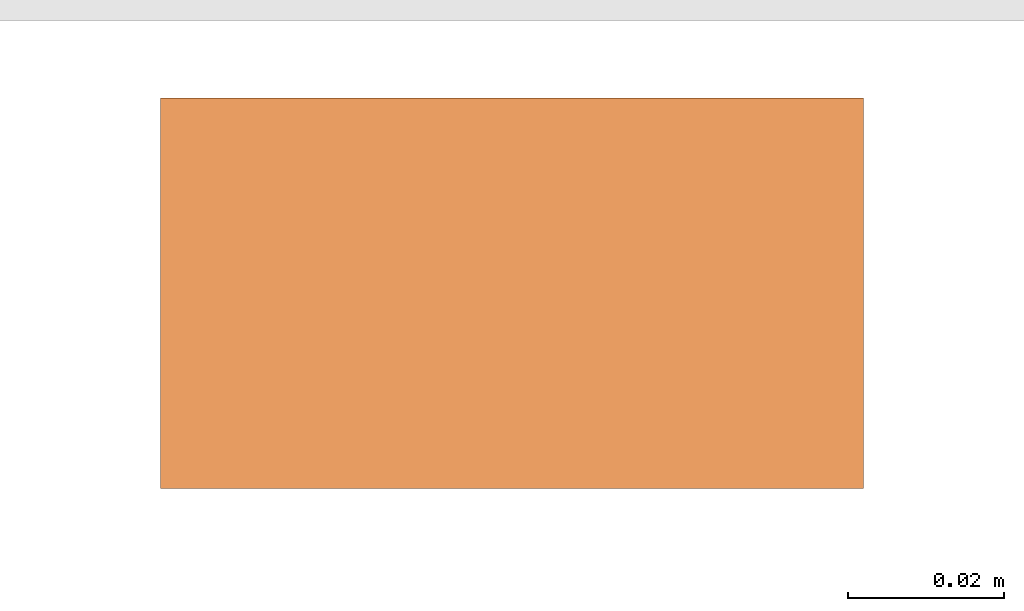
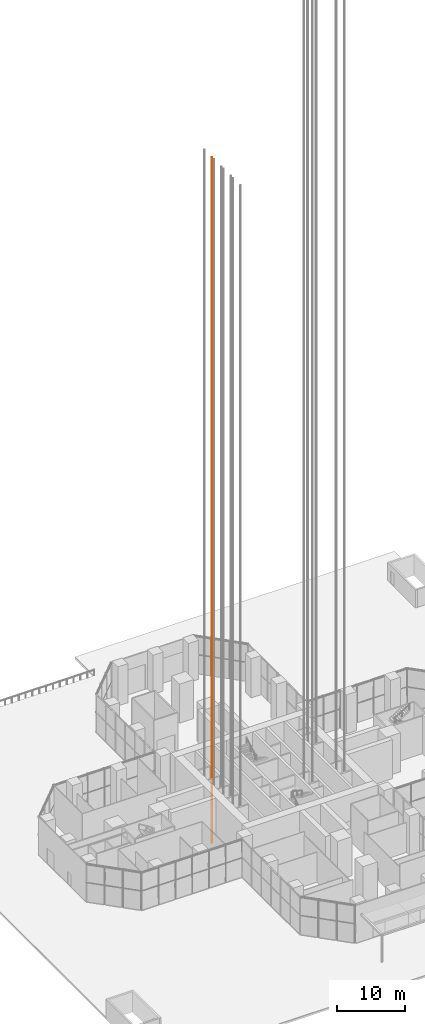
# One storey, part 36 of 43: 1 proxy.
"""IFC4 building model written with IfcOpenShell, lengths in metres."""

import ifcopenshell
import ifcopenshell.guid

model = None  # the IFC model being written
_history = None  # IfcOwnerHistory: only IFC2X3 demands one
_inside = {}  # id of a spatial element -> (the spatial element, [elements in it])
_under = {}  # id of a project, library or spatial element -> (it, [spatial elements below it])
_declared = {}  # id of a project -> (the project, [libraries it declares])
_typed = {}  # id of a type object -> (the type object, [elements of that type])
_made_of = {}  # id of a material, layer set ... -> (it, [elements and type objects made of it])


def new_model(schema):
    """Start an empty IFC model of exactly this schema.

    Asked for "IFC4X3", IfcOpenShell would pick the latest addendum, in which some entities
    have other attributes; the version numbers below select the first issue.
    IFC2X3 requires an IfcOwnerHistory on every rooted entity: one is made here for all.
    """
    global model, _history
    if schema == "IFC4X3":
        model = ifcopenshell.file(schema_version=(4, 3, 0, 0))
    else:
        model = ifcopenshell.file(schema=schema)
    _inside.clear()
    _under.clear()
    _declared.clear()
    _typed.clear()
    _made_of.clear()
    _history = None
    if model.schema == "IFC2X3":
        org = make("IfcOrganization", Name="unknown")
        user = make(
            "IfcPersonAndOrganization",
            ThePerson=make("IfcPerson", FamilyName="unknown"),
            TheOrganization=org,
        )
        app = make(
            "IfcApplication",
            ApplicationDeveloper=org,
            Version="unknown",
            ApplicationFullName="unknown",
            ApplicationIdentifier="unknown",
        )
        _history = make(
            "IfcOwnerHistory",
            OwningUser=user,
            OwningApplication=app,
            ChangeAction="ADDED",
            CreationDate=0,
        )
    return model


def make(cls, **values):
    """One entity of the class cls with the attributes given. An attribute that is None is left unset."""
    return model.create_entity(
        cls, **{name: value for name, value in values.items() if value is not None}
    )


def rooted(cls, **values):
    """An entity with a GlobalId (a new one), such as an element, a storey or a relation."""
    return make(cls, GlobalId=ifcopenshell.guid.new(), OwnerHistory=_history, **values)


def si_unit(unit_type, name, prefix=None):
    """IfcSIUnit, for example si_unit("LENGTHUNIT", "METRE", prefix="MILLI")."""
    return make("IfcSIUnit", UnitType=unit_type, Prefix=prefix, Name=name)


def assignment(units):
    """IfcUnitAssignment: the units of a project."""
    return None if units is None else make("IfcUnitAssignment", Units=units)


def point(xyz):
    """IfcCartesianPoint."""
    return None if xyz is None else make("IfcCartesianPoint", Coordinates=xyz)


def direction(xyz):
    """IfcDirection."""
    return None if xyz is None else make("IfcDirection", DirectionRatios=xyz)


def frame(location, z_axis=None, x_axis=None):
    """IfcAxis2Placement3D, a coordinate frame: its origin and axes. An axis left out is left unset."""
    return make(
        "IfcAxis2Placement3D",
        Location=point(location),
        Axis=direction(z_axis),
        RefDirection=direction(x_axis),
    )


def frame_2d(location, x_axis=None):
    """IfcAxis2Placement2D, a coordinate frame in the plane: its origin and x axis."""
    return make(
        "IfcAxis2Placement2D", Location=point(location), RefDirection=direction(x_axis)
    )


def origin():
    """The frame at (0, 0, 0) with its axes left unset."""
    return frame((0.0, 0.0, 0.0))


def origin_2d():
    """The frame at (0, 0) in the plane with its x axis left unset."""
    return frame_2d((0.0, 0.0))


def place(relative_to, where):
    """IfcLocalPlacement: puts the frame where relative to a parent placement (None: the world)."""
    return make(
        "IfcLocalPlacement", PlacementRelTo=relative_to, RelativePlacement=where
    )


def context(
    kind, dimensions, precision=None, world=None, true_north=None, identifier=None
):
    """IfcGeometricRepresentationContext, for example the 3D "Model" context."""
    return make(
        "IfcGeometricRepresentationContext",
        ContextIdentifier=identifier,
        ContextType=kind,
        CoordinateSpaceDimension=dimensions,
        Precision=precision,
        WorldCoordinateSystem=world,
        TrueNorth=true_north,
    )


def subcontext(parent, identifier, kind, view, scale=None):
    """IfcGeometricRepresentationSubContext, for example "Body" below "Model"."""
    return make(
        "IfcGeometricRepresentationSubContext",
        ContextIdentifier=identifier,
        ContextType=kind,
        ParentContext=parent,
        TargetScale=scale,
        TargetView=view,
    )


def project(units=None, contexts=None):
    """IfcProject with its units and contexts."""
    return rooted(
        "IfcProject",
        Name="project",
        RepresentationContexts=contexts,
        UnitsInContext=assignment(units),
    )


def spatial(cls, under=None, at=None, **own):
    """A site, building, storey or space (cls), placed at a placement, below another one or the project."""
    s = rooted(cls, ObjectPlacement=at, **own)
    if under is not None:
        _under.setdefault(under.id(), (under, []))[1].append(s)
    return s


def profile(cls, at=None, kind="AREA", **sizes):
    """A parametric profile (cls). Its sizes go by their IFC names, for example OverallWidth=200.0."""
    return make(cls, ProfileType=kind, Position=at, **sizes)


def rectangle(**sizes):
    """IfcRectangleProfileDef."""
    return profile("IfcRectangleProfileDef", **sizes)


def extrude(swept, where, along, depth):
    """IfcExtrudedAreaSolid: the profile swept, set in the frame where, extruded along a direction by depth."""
    return make(
        "IfcExtrudedAreaSolid",
        SweptArea=swept,
        Position=where,
        ExtrudedDirection=direction(along),
        Depth=depth,
    )


def shape(context_of_items, identifier, shape_type, items):
    """IfcShapeRepresentation: the items that make up one representation, for example the "Body"."""
    return make(
        "IfcShapeRepresentation",
        ContextOfItems=context_of_items,
        RepresentationIdentifier=identifier,
        RepresentationType=shape_type,
        Items=items,
    )


def material(Name=None, Category=None):
    """IfcMaterial."""
    return make("IfcMaterial", Name=Name, Category=Category)


def made_of(thing, what):
    """Note that an element or type object is made of a material, layer set ...; save() writes the relation."""
    if what is not None:
        _made_of.setdefault(what.id(), (what, []))[1].append(thing)
    return thing


def element(
    cls,
    number,
    at=None,
    inside=None,
    cuts=None,
    type_object=None,
    material=None,
    context=None,
    identifier="Body",
    shape_type=None,
    held_by="IfcProductDefinitionShape",
    body=None,
    shapes=None,
    **own,
):
    """One element of the class cls, such as IfcWall. Its Tag is "e" and its number.

    at: its placement. inside: the storey or other place that contains it. cuts: it is an
    opening in that element (IfcRelVoidsElement). A single representation is given by context,
    identifier, shape_type and body (its items); several are given by shapes. held_by: the class
    of the entity that holds the representations. save() writes the other relations.
    """
    e = rooted(cls, Tag="e%d" % number, ObjectPlacement=at, **own)
    if body is not None:
        shapes = [shape(context, identifier, shape_type, body)]
    if shapes is not None:
        e.Representation = make(held_by, Representations=shapes)
    if inside is not None:
        _inside.setdefault(inside.id(), (inside, []))[1].append(e)
    if cuts is not None:
        rooted(
            "IfcRelVoidsElement", RelatingBuildingElement=cuts, RelatedOpeningElement=e
        )
    if type_object is not None:
        _typed.setdefault(type_object.id(), (type_object, []))[1].append(e)
    return made_of(e, material)


def aggregate(whole, parts):
    """IfcRelAggregates: a whole, such as a stair, and the parts it consists of."""
    return rooted("IfcRelAggregates", RelatingObject=whole, RelatedObjects=parts)


def save(model, path):
    """Write the relations noted so far, then the file.

    IfcRelAggregates (storeys below a building ...), IfcRelContainedInSpatialStructure (elements
    in a storey), IfcRelDefinesByType, IfcRelAssociatesMaterial and IfcRelDeclares: one each for
    every whole, place, type object, material and project.
    """
    for whole, parts in _under.values():
        aggregate(whole, parts)
    for where, things in _inside.values():
        rooted(
            "IfcRelContainedInSpatialStructure",
            RelatedElements=things,
            RelatingStructure=where,
        )
    for kind, things in _typed.values():
        rooted("IfcRelDefinesByType", RelatedObjects=things, RelatingType=kind)
    for what, things in _made_of.values():
        rooted("IfcRelAssociatesMaterial", RelatedObjects=things, RelatingMaterial=what)
    for by, libraries in _declared.values():
        rooted("IfcRelDeclares", RelatingContext=by, RelatedDefinitions=libraries)
    model.write(path)


model = new_model("IFC4")

# Units and contexts
model_context = context("Model", 3, precision=1e-05, world=origin(), true_north=direction((0.0, 1.0)))
body_context = subcontext(model_context, "Body", "Model", "MODEL_VIEW")
ifc_project = project(units=[si_unit("LENGTHUNIT", "METRE"), si_unit("AREAUNIT", "SQUARE_METRE"), si_unit("VOLUMEUNIT", "CUBIC_METRE"), si_unit("PLANEANGLEUNIT", "RADIAN"), si_unit("MASSUNIT", "GRAM", prefix="KILO")], contexts=[model_context])

# Site, building, storey
site_placement = place(None, origin())
site = spatial("IfcSite", under=ifc_project, at=site_placement, CompositionType="ELEMENT")
building_placement = place(site_placement, origin())
building = spatial("IfcBuilding", under=site, at=building_placement, Name="Mizan Broadcast Tower", CompositionType="ELEMENT")
storey_placement = place(building_placement, origin())
storey = spatial("IfcBuildingStorey", under=building, at=storey_placement, Name="L00", CompositionType="ELEMENT", Elevation=0.0)

# Proxy
ifc_material = material(Name="Steel guide rail", Category="steel")
proxy_placement = place(storey_placement, frame((-8.800048828125, 3.090087890625, -5.0), z_axis=(0.0, 0.0, 1.0), x_axis=(1.0, 0.0, 0.0)))
element("IfcBuildingElementProxy", 1, at=proxy_placement, inside=storey, material=ifc_material, Name="Guide rail LA4-1", PredefinedType="NOTDEFINED", context=body_context, shape_type="SweptSolid", body=[
    extrude(rectangle(XDim=0.090087890625, YDim=0.050048828125, at=origin_2d()), origin(), (0.0, 0.0, 1.0), 122.969970703125),
])

save(model, "model.ifc")
